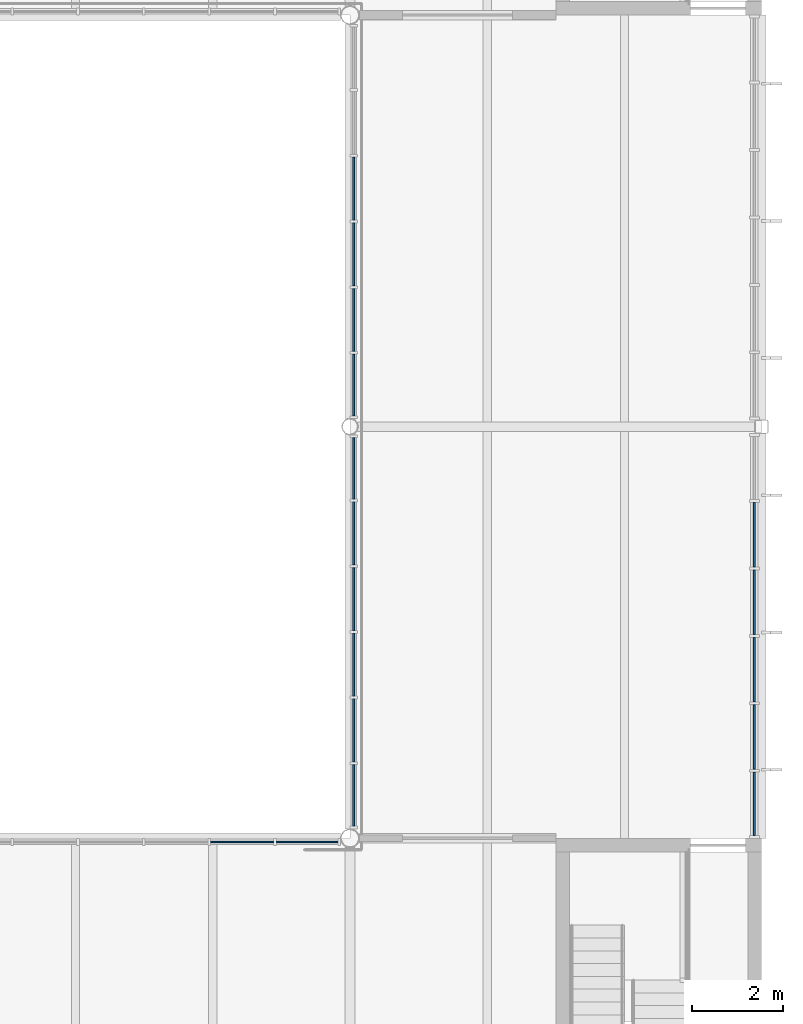
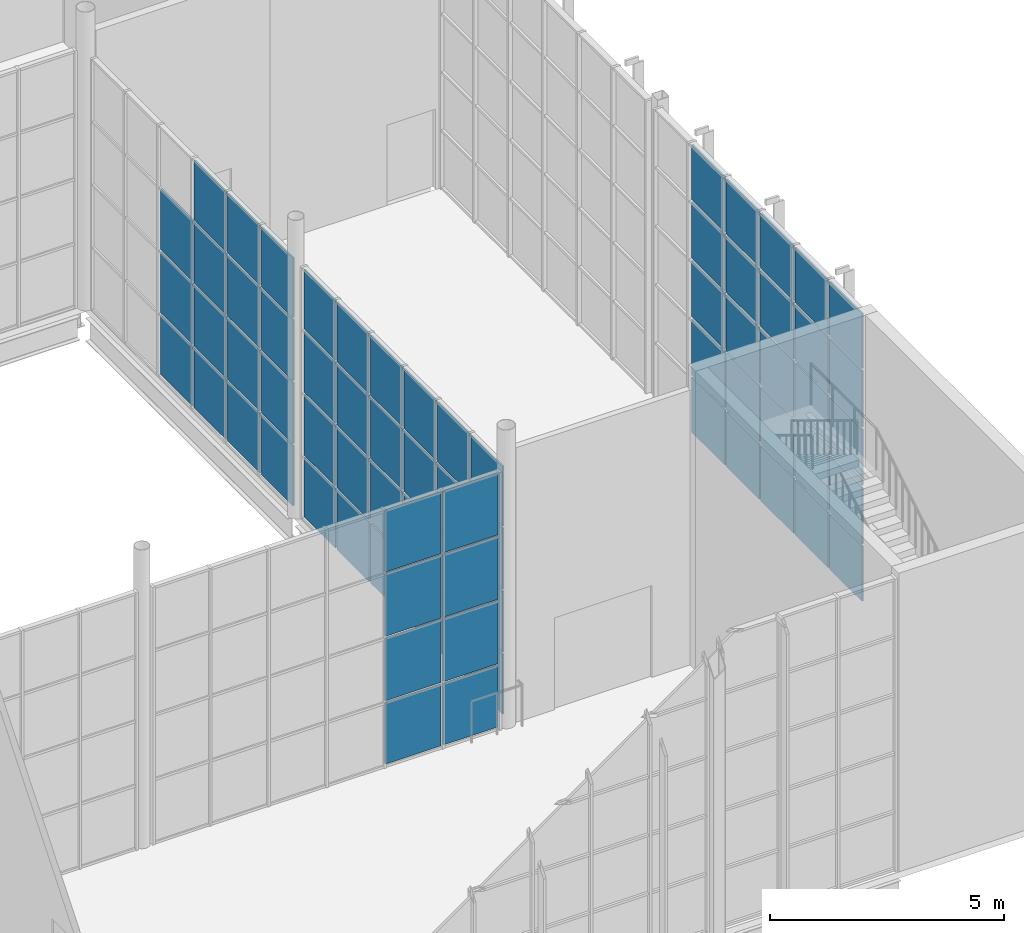
# One storey, part 72 of 90: 72 plates, 4 elements without a shape of their own.
"""IFC4 building model written with IfcOpenShell, lengths in metres."""

from ifc_helpers import new_model, si_unit, direction, frame, origin, origin_2d, place, context, subcontext, project, spatial, rectangle, extrude, material, layer, layer_set, type_object, element, aggregate, save


model = new_model("IFC4")

# Units and contexts
model_context = context("Model", 3, precision=1e-05, world=origin(), true_north=direction((0.0, 1.0)))
body_context = subcontext(model_context, "Body", "Model", "MODEL_VIEW")
ifc_project = project(units=[si_unit("LENGTHUNIT", "METRE"), si_unit("AREAUNIT", "SQUARE_METRE"), si_unit("VOLUMEUNIT", "CUBIC_METRE"), si_unit("PLANEANGLEUNIT", "RADIAN"), si_unit("MASSUNIT", "GRAM", prefix="KILO")], contexts=[model_context])

# Site, building, storey
site_placement = place(None, origin())
site = spatial("IfcSite", under=ifc_project, at=site_placement, CompositionType="ELEMENT")
building_placement = place(site_placement, origin())
building = spatial("IfcBuilding", under=site, at=building_placement, Name="Halyard Row Museum", CompositionType="ELEMENT")
storey_placement = place(building_placement, frame((0.0, 0.0, 13.39990234375)))
storey = spatial("IfcBuildingStorey", under=building, at=storey_placement, Name="L03", CompositionType="ELEMENT", Elevation=13.39990234375)

# Curtain wall, plates
ifc_material_1 = material(Name="Double glazed unit, low-emissivity", Category="glass")
ifc_layer_1 = layer(ifc_material_1, 0.219970703125)
ifc_layer_set_1 = layer_set([ifc_layer_1], Name="Double glazed unit, low-emissivity")
curtain_wall_type_1 = type_object("IfcCurtainWallType", Name="Curtain wall unitised 220 deep", PredefinedType="NOTDEFINED", material=ifc_layer_set_1)
curtain_wall_1_placement = place(storey_placement, origin())
curtain_wall_1 = element("IfcCurtainWall", 1, at=curtain_wall_1_placement, inside=storey, type_object=curtain_wall_type_1, Name="Curtain wall CW048", PredefinedType="NOTDEFINED")
ifc_material_2 = material(Name="Double glazed unit, low-emissivity", Category="glass")
ifc_layer_2 = layer(ifc_material_2, 0.035888671875)
ifc_layer_set_2 = layer_set([ifc_layer_2], Name="Double glazed unit, low-emissivity")
plate_type_1 = type_object("IfcPlateType", Name="Curtain wall glazed panel CP3 36", PredefinedType="CURTAIN_PANEL", material=ifc_layer_set_2)
plate_1_placement = place(storey_placement, frame((107.840087890625, 9.75244140625, 0.06005859375), z_axis=(0.0, 0.0, 1.0), x_axis=(0.0, 1.0, 0.0)))
plate_1 = element("IfcPlate", 2, at=plate_1_placement, type_object=plate_type_1, Name="CW048 panel 1.1", PredefinedType="CURTAIN_PANEL", context=body_context, shape_type="SweptSolid", body=[
    extrude(rectangle(XDim=1.385009765625, YDim=0.035888671875, at=origin_2d()), origin(), (0.0, 0.0, 1.0), 1.43701171875),
])
plate_2_placement = place(storey_placement, frame((107.840087890625, 9.75244140625, 1.55712890625), z_axis=(0.0, 0.0, 1.0), x_axis=(0.0, 1.0, 0.0)))
plate_2 = element("IfcPlate", 3, at=plate_2_placement, type_object=plate_type_1, Name="CW048 panel 1.2", PredefinedType="CURTAIN_PANEL", context=body_context, shape_type="SweptSolid", body=[
    extrude(rectangle(XDim=1.385009765625, YDim=0.035888671875, at=origin_2d()), origin(), (0.0, 0.0, 1.0), 1.467041015625),
])
plate_3_placement = place(storey_placement, frame((107.840087890625, 9.75244140625, 3.083984375), z_axis=(0.0, 0.0, 1.0), x_axis=(0.0, 1.0, 0.0)))
plate_3 = element("IfcPlate", 4, at=plate_3_placement, type_object=plate_type_1, Name="CW048 panel 1.3", PredefinedType="CURTAIN_PANEL", context=body_context, shape_type="SweptSolid", body=[
    extrude(rectangle(XDim=1.385009765625, YDim=0.035888671875, at=origin_2d()), origin(), (0.0, 0.0, 1.0), 1.467041015625),
])
plate_4_placement = place(storey_placement, frame((107.840087890625, 9.75244140625, 4.61083984375), z_axis=(0.0, 0.0, 1.0), x_axis=(0.0, 1.0, 0.0)))
plate_4 = element("IfcPlate", 5, at=plate_4_placement, type_object=plate_type_1, Name="CW048 panel 1.4", PredefinedType="CURTAIN_PANEL", context=body_context, shape_type="SweptSolid", body=[
    extrude(rectangle(XDim=1.385009765625, YDim=0.035888671875, at=origin_2d()), origin(), (0.0, 0.0, 1.0), 1.467041015625),
])
plate_5_placement = place(storey_placement, frame((107.840087890625, 9.75244140625, 6.13818359375), z_axis=(0.0, 0.0, 1.0), x_axis=(0.0, 1.0, 0.0)))
plate_5 = element("IfcPlate", 6, at=plate_5_placement, type_object=plate_type_1, Name="CW048 panel 1.5", PredefinedType="CURTAIN_PANEL", context=body_context, shape_type="SweptSolid", body=[
    extrude(rectangle(XDim=1.385009765625, YDim=0.035888671875, at=origin_2d()), origin(), (0.0, 0.0, 1.0), 1.43701171875),
])
plate_6_placement = place(storey_placement, frame((107.840087890625, 11.21240234375, 0.06005859375), z_axis=(0.0, 0.0, 1.0), x_axis=(0.0, 1.0, 0.0)))
plate_6 = element("IfcPlate", 7, at=plate_6_placement, type_object=plate_type_1, Name="CW048 panel 2.1", PredefinedType="CURTAIN_PANEL", context=body_context, shape_type="SweptSolid", body=[
    extrude(rectangle(XDim=1.4150390625, YDim=0.035888671875, at=origin_2d()), origin(), (0.0, 0.0, 1.0), 1.43701171875),
])
plate_7_placement = place(storey_placement, frame((107.840087890625, 11.21240234375, 1.55712890625), z_axis=(0.0, 0.0, 1.0), x_axis=(0.0, 1.0, 0.0)))
plate_7 = element("IfcPlate", 8, at=plate_7_placement, type_object=plate_type_1, Name="CW048 panel 2.2", PredefinedType="CURTAIN_PANEL", context=body_context, shape_type="SweptSolid", body=[
    extrude(rectangle(XDim=1.4150390625, YDim=0.035888671875, at=origin_2d()), origin(), (0.0, 0.0, 1.0), 1.467041015625),
])
plate_8_placement = place(storey_placement, frame((107.840087890625, 11.21240234375, 3.083984375), z_axis=(0.0, 0.0, 1.0), x_axis=(0.0, 1.0, 0.0)))
plate_8 = element("IfcPlate", 9, at=plate_8_placement, type_object=plate_type_1, Name="CW048 panel 2.3", PredefinedType="CURTAIN_PANEL", context=body_context, shape_type="SweptSolid", body=[
    extrude(rectangle(XDim=1.4150390625, YDim=0.035888671875, at=origin_2d()), origin(), (0.0, 0.0, 1.0), 1.467041015625),
])
plate_9_placement = place(storey_placement, frame((107.840087890625, 11.21240234375, 4.61083984375), z_axis=(0.0, 0.0, 1.0), x_axis=(0.0, 1.0, 0.0)))
plate_9 = element("IfcPlate", 10, at=plate_9_placement, type_object=plate_type_1, Name="CW048 panel 2.4", PredefinedType="CURTAIN_PANEL", context=body_context, shape_type="SweptSolid", body=[
    extrude(rectangle(XDim=1.4150390625, YDim=0.035888671875, at=origin_2d()), origin(), (0.0, 0.0, 1.0), 1.467041015625),
])
plate_10_placement = place(storey_placement, frame((107.840087890625, 11.21240234375, 6.13818359375), z_axis=(0.0, 0.0, 1.0), x_axis=(0.0, 1.0, 0.0)))
plate_10 = element("IfcPlate", 11, at=plate_10_placement, type_object=plate_type_1, Name="CW048 panel 2.5", PredefinedType="CURTAIN_PANEL", context=body_context, shape_type="SweptSolid", body=[
    extrude(rectangle(XDim=1.4150390625, YDim=0.035888671875, at=origin_2d()), origin(), (0.0, 0.0, 1.0), 1.43701171875),
])
plate_11_placement = place(storey_placement, frame((107.840087890625, 12.6875, 0.06005859375), z_axis=(0.0, 0.0, 1.0), x_axis=(0.0, 1.0, 0.0)))
plate_11 = element("IfcPlate", 12, at=plate_11_placement, type_object=plate_type_1, Name="CW048 panel 3.1", PredefinedType="CURTAIN_PANEL", context=body_context, shape_type="SweptSolid", body=[
    extrude(rectangle(XDim=1.4150390625, YDim=0.035888671875, at=origin_2d()), origin(), (0.0, 0.0, 1.0), 1.43701171875),
])
plate_12_placement = place(storey_placement, frame((107.840087890625, 12.6875, 1.55712890625), z_axis=(0.0, 0.0, 1.0), x_axis=(0.0, 1.0, 0.0)))
plate_12 = element("IfcPlate", 13, at=plate_12_placement, type_object=plate_type_1, Name="CW048 panel 3.2", PredefinedType="CURTAIN_PANEL", context=body_context, shape_type="SweptSolid", body=[
    extrude(rectangle(XDim=1.4150390625, YDim=0.035888671875, at=origin_2d()), origin(), (0.0, 0.0, 1.0), 1.467041015625),
])
plate_13_placement = place(storey_placement, frame((107.840087890625, 12.6875, 3.083984375), z_axis=(0.0, 0.0, 1.0), x_axis=(0.0, 1.0, 0.0)))
plate_13 = element("IfcPlate", 14, at=plate_13_placement, type_object=plate_type_1, Name="CW048 panel 3.3", PredefinedType="CURTAIN_PANEL", context=body_context, shape_type="SweptSolid", body=[
    extrude(rectangle(XDim=1.4150390625, YDim=0.035888671875, at=origin_2d()), origin(), (0.0, 0.0, 1.0), 1.467041015625),
])
plate_14_placement = place(storey_placement, frame((107.840087890625, 12.6875, 4.61083984375), z_axis=(0.0, 0.0, 1.0), x_axis=(0.0, 1.0, 0.0)))
plate_14 = element("IfcPlate", 15, at=plate_14_placement, type_object=plate_type_1, Name="CW048 panel 3.4", PredefinedType="CURTAIN_PANEL", context=body_context, shape_type="SweptSolid", body=[
    extrude(rectangle(XDim=1.4150390625, YDim=0.035888671875, at=origin_2d()), origin(), (0.0, 0.0, 1.0), 1.467041015625),
])
plate_15_placement = place(storey_placement, frame((107.840087890625, 12.6875, 6.13818359375), z_axis=(0.0, 0.0, 1.0), x_axis=(0.0, 1.0, 0.0)))
plate_15 = element("IfcPlate", 16, at=plate_15_placement, type_object=plate_type_1, Name="CW048 panel 3.5", PredefinedType="CURTAIN_PANEL", context=body_context, shape_type="SweptSolid", body=[
    extrude(rectangle(XDim=1.4150390625, YDim=0.035888671875, at=origin_2d()), origin(), (0.0, 0.0, 1.0), 1.43701171875),
])
plate_16_placement = place(storey_placement, frame((107.840087890625, 14.16259765625, 0.06005859375), z_axis=(0.0, 0.0, 1.0), x_axis=(0.0, 1.0, 0.0)))
plate_16 = element("IfcPlate", 17, at=plate_16_placement, type_object=plate_type_1, Name="CW048 panel 4.1", PredefinedType="CURTAIN_PANEL", context=body_context, shape_type="SweptSolid", body=[
    extrude(rectangle(XDim=1.4150390625, YDim=0.035888671875, at=origin_2d()), origin(), (0.0, 0.0, 1.0), 1.43701171875),
])
plate_17_placement = place(storey_placement, frame((107.840087890625, 14.16259765625, 1.55712890625), z_axis=(0.0, 0.0, 1.0), x_axis=(0.0, 1.0, 0.0)))
plate_17 = element("IfcPlate", 18, at=plate_17_placement, type_object=plate_type_1, Name="CW048 panel 4.2", PredefinedType="CURTAIN_PANEL", context=body_context, shape_type="SweptSolid", body=[
    extrude(rectangle(XDim=1.4150390625, YDim=0.035888671875, at=origin_2d()), origin(), (0.0, 0.0, 1.0), 1.467041015625),
])
plate_18_placement = place(storey_placement, frame((107.840087890625, 14.16259765625, 3.083984375), z_axis=(0.0, 0.0, 1.0), x_axis=(0.0, 1.0, 0.0)))
plate_18 = element("IfcPlate", 19, at=plate_18_placement, type_object=plate_type_1, Name="CW048 panel 4.3", PredefinedType="CURTAIN_PANEL", context=body_context, shape_type="SweptSolid", body=[
    extrude(rectangle(XDim=1.4150390625, YDim=0.035888671875, at=origin_2d()), origin(), (0.0, 0.0, 1.0), 1.467041015625),
])
plate_19_placement = place(storey_placement, frame((107.840087890625, 14.16259765625, 4.61083984375), z_axis=(0.0, 0.0, 1.0), x_axis=(0.0, 1.0, 0.0)))
plate_19 = element("IfcPlate", 20, at=plate_19_placement, type_object=plate_type_1, Name="CW048 panel 4.4", PredefinedType="CURTAIN_PANEL", context=body_context, shape_type="SweptSolid", body=[
    extrude(rectangle(XDim=1.4150390625, YDim=0.035888671875, at=origin_2d()), origin(), (0.0, 0.0, 1.0), 1.467041015625),
])
plate_20_placement = place(storey_placement, frame((107.840087890625, 14.16259765625, 6.13818359375), z_axis=(0.0, 0.0, 1.0), x_axis=(0.0, 1.0, 0.0)))
plate_20 = element("IfcPlate", 21, at=plate_20_placement, type_object=plate_type_1, Name="CW048 panel 4.5", PredefinedType="CURTAIN_PANEL", context=body_context, shape_type="SweptSolid", body=[
    extrude(rectangle(XDim=1.4150390625, YDim=0.035888671875, at=origin_2d()), origin(), (0.0, 0.0, 1.0), 1.43701171875),
])
plate_21_placement = place(storey_placement, frame((107.840087890625, 15.637451171875, 0.06005859375), z_axis=(0.0, 0.0, 1.0), x_axis=(0.0, 1.0, 0.0)))
plate_21 = element("IfcPlate", 22, at=plate_21_placement, type_object=plate_type_1, Name="CW048 panel 5.1", PredefinedType="CURTAIN_PANEL", context=body_context, shape_type="SweptSolid", body=[
    extrude(rectangle(XDim=1.4150390625, YDim=0.035888671875, at=origin_2d()), origin(), (0.0, 0.0, 1.0), 1.43701171875),
])
plate_22_placement = place(storey_placement, frame((107.840087890625, 15.637451171875, 1.55712890625), z_axis=(0.0, 0.0, 1.0), x_axis=(0.0, 1.0, 0.0)))
plate_22 = element("IfcPlate", 23, at=plate_22_placement, type_object=plate_type_1, Name="CW048 panel 5.2", PredefinedType="CURTAIN_PANEL", context=body_context, shape_type="SweptSolid", body=[
    extrude(rectangle(XDim=1.4150390625, YDim=0.035888671875, at=origin_2d()), origin(), (0.0, 0.0, 1.0), 1.467041015625),
])
plate_23_placement = place(storey_placement, frame((107.840087890625, 15.637451171875, 3.083984375), z_axis=(0.0, 0.0, 1.0), x_axis=(0.0, 1.0, 0.0)))
plate_23 = element("IfcPlate", 24, at=plate_23_placement, type_object=plate_type_1, Name="CW048 panel 5.3", PredefinedType="CURTAIN_PANEL", context=body_context, shape_type="SweptSolid", body=[
    extrude(rectangle(XDim=1.4150390625, YDim=0.035888671875, at=origin_2d()), origin(), (0.0, 0.0, 1.0), 1.467041015625),
])
plate_24_placement = place(storey_placement, frame((107.840087890625, 15.637451171875, 4.61083984375), z_axis=(0.0, 0.0, 1.0), x_axis=(0.0, 1.0, 0.0)))
plate_24 = element("IfcPlate", 25, at=plate_24_placement, type_object=plate_type_1, Name="CW048 panel 5.4", PredefinedType="CURTAIN_PANEL", context=body_context, shape_type="SweptSolid", body=[
    extrude(rectangle(XDim=1.4150390625, YDim=0.035888671875, at=origin_2d()), origin(), (0.0, 0.0, 1.0), 1.467041015625),
])
plate_25_placement = place(storey_placement, frame((107.840087890625, 15.637451171875, 6.13818359375), z_axis=(0.0, 0.0, 1.0), x_axis=(0.0, 1.0, 0.0)))
plate_25 = element("IfcPlate", 26, at=plate_25_placement, type_object=plate_type_1, Name="CW048 panel 5.5", PredefinedType="CURTAIN_PANEL", context=body_context, shape_type="SweptSolid", body=[
    extrude(rectangle(XDim=1.4150390625, YDim=0.035888671875, at=origin_2d()), origin(), (0.0, 0.0, 1.0), 1.43701171875),
])
aggregate(curtain_wall_1, [plate_1, plate_2, plate_3, plate_4, plate_5, plate_6, plate_7, plate_8, plate_9, plate_10, plate_11, plate_12, plate_13, plate_14, plate_15, plate_16, plate_17, plate_18, plate_19, plate_20, plate_21, plate_22, plate_23, plate_24, plate_25])

ifc_material_3 = material(Name="Fire-resisting laminated glazing", Category="glass")
ifc_layer_3 = layer(ifc_material_3, 0.159912109375)
ifc_layer_set_3 = layer_set([ifc_layer_3], Name="Fire-resisting laminated glazing")
curtain_wall_type_2 = type_object("IfcCurtainWallType", Name="Curtain wall atrium screen 160 deep", PredefinedType="NOTDEFINED", material=ifc_layer_set_3)
curtain_wall_2_placement = place(storey_placement, origin())
curtain_wall_2 = element("IfcCurtainWall", 27, at=curtain_wall_2_placement, inside=storey, type_object=curtain_wall_type_2, Name="Curtain wall CW095", PredefinedType="NOTDEFINED")
ifc_material_4 = material(Name="Fire-resisting laminated glazing", Category="glass")
ifc_layer_4 = layer(ifc_material_4, 0.0400390625)
ifc_layer_set_4 = layer_set([ifc_layer_4], Name="Fire-resisting laminated glazing")
plate_type_2 = type_object("IfcPlateType", Name="Curtain wall glazed panel CP5 40", PredefinedType="CURTAIN_PANEL", material=ifc_layer_set_4)
plate_26_placement = place(storey_placement, frame((96.64208984375, 8.919921875, 0.06005859375), z_axis=(0.0, 0.0, 1.0), x_axis=(1.0, 0.0, 0.0)))
plate_26 = element("IfcPlate", 28, at=plate_26_placement, type_object=plate_type_2, Name="CW095 panel 5.1", PredefinedType="CURTAIN_PANEL", context=body_context, shape_type="SweptSolid", body=[
    extrude(rectangle(XDim=1.37646484375, YDim=0.0400390625, at=origin_2d()), origin(), (0.0, 0.0, 1.0), 1.593017578125),
])
plate_27_placement = place(storey_placement, frame((96.64208984375, 8.919921875, 1.713134765625), z_axis=(0.0, 0.0, 1.0), x_axis=(1.0, 0.0, 0.0)))
plate_27 = element("IfcPlate", 29, at=plate_27_placement, type_object=plate_type_2, Name="CW095 panel 5.2", PredefinedType="CURTAIN_PANEL", context=body_context, shape_type="SweptSolid", body=[
    extrude(rectangle(XDim=1.37646484375, YDim=0.0400390625, at=origin_2d()), origin(), (0.0, 0.0, 1.0), 1.623046875),
])
plate_28_placement = place(storey_placement, frame((96.64208984375, 8.919921875, 3.39599609375), z_axis=(0.0, 0.0, 1.0), x_axis=(1.0, 0.0, 0.0)))
plate_28 = element("IfcPlate", 30, at=plate_28_placement, type_object=plate_type_2, Name="CW095 panel 5.3", PredefinedType="CURTAIN_PANEL", context=body_context, shape_type="SweptSolid", body=[
    extrude(rectangle(XDim=1.37646484375, YDim=0.0400390625, at=origin_2d()), origin(), (0.0, 0.0, 1.0), 1.623046875),
])
plate_29_placement = place(storey_placement, frame((96.64208984375, 8.919921875, 5.0791015625), z_axis=(0.0, 0.0, 1.0), x_axis=(1.0, 0.0, 0.0)))
plate_29 = element("IfcPlate", 31, at=plate_29_placement, type_object=plate_type_2, Name="CW095 panel 5.4", PredefinedType="CURTAIN_PANEL", context=body_context, shape_type="SweptSolid", body=[
    extrude(rectangle(XDim=1.37646484375, YDim=0.0400390625, at=origin_2d()), origin(), (0.0, 0.0, 1.0), 1.593017578125),
])
plate_30_placement = place(storey_placement, frame((98.0634765625, 8.919921875, 0.06005859375), z_axis=(0.0, 0.0, 1.0), x_axis=(1.0, 0.0, 0.0)))
plate_30 = element("IfcPlate", 32, at=plate_30_placement, type_object=plate_type_2, Name="CW095 panel 6.1", PredefinedType="CURTAIN_PANEL", context=body_context, shape_type="SweptSolid", body=[
    extrude(rectangle(XDim=1.346435546875, YDim=0.0400390625, at=origin_2d()), origin(), (0.0, 0.0, 1.0), 1.593017578125),
])
plate_31_placement = place(storey_placement, frame((98.0634765625, 8.919921875, 1.713134765625), z_axis=(0.0, 0.0, 1.0), x_axis=(1.0, 0.0, 0.0)))
plate_31 = element("IfcPlate", 33, at=plate_31_placement, type_object=plate_type_2, Name="CW095 panel 6.2", PredefinedType="CURTAIN_PANEL", context=body_context, shape_type="SweptSolid", body=[
    extrude(rectangle(XDim=1.346435546875, YDim=0.0400390625, at=origin_2d()), origin(), (0.0, 0.0, 1.0), 1.623046875),
])
plate_32_placement = place(storey_placement, frame((98.0634765625, 8.919921875, 3.39599609375), z_axis=(0.0, 0.0, 1.0), x_axis=(1.0, 0.0, 0.0)))
plate_32 = element("IfcPlate", 34, at=plate_32_placement, type_object=plate_type_2, Name="CW095 panel 6.3", PredefinedType="CURTAIN_PANEL", context=body_context, shape_type="SweptSolid", body=[
    extrude(rectangle(XDim=1.346435546875, YDim=0.0400390625, at=origin_2d()), origin(), (0.0, 0.0, 1.0), 1.623046875),
])
plate_33_placement = place(storey_placement, frame((98.0634765625, 8.919921875, 5.0791015625), z_axis=(0.0, 0.0, 1.0), x_axis=(1.0, 0.0, 0.0)))
plate_33 = element("IfcPlate", 35, at=plate_33_placement, type_object=plate_type_2, Name="CW095 panel 6.4", PredefinedType="CURTAIN_PANEL", context=body_context, shape_type="SweptSolid", body=[
    extrude(rectangle(XDim=1.346435546875, YDim=0.0400390625, at=origin_2d()), origin(), (0.0, 0.0, 1.0), 1.593017578125),
])
aggregate(curtain_wall_2, [plate_26, plate_27, plate_28, plate_29, plate_30, plate_31, plate_32, plate_33])

curtain_wall_3_placement = place(storey_placement, origin())
curtain_wall_3 = element("IfcCurtainWall", 36, at=curtain_wall_3_placement, inside=storey, type_object=curtain_wall_type_2, Name="Curtain wall CW096", PredefinedType="NOTDEFINED")
plate_34_placement = place(storey_placement, frame((99.080078125, 9.9365234375, 0.06005859375), z_axis=(0.0, 0.0, 1.0), x_axis=(0.0, 1.0, 0.0)))
plate_34 = element("IfcPlate", 37, at=plate_34_placement, type_object=plate_type_2, Name="CW096 panel 1.1", PredefinedType="CURTAIN_PANEL", context=body_context, shape_type="SweptSolid", body=[
    extrude(rectangle(XDim=1.346435546875, YDim=0.0400390625, at=origin_2d()), origin(), (0.0, 0.0, 1.0), 1.55615234375),
])
plate_35_placement = place(storey_placement, frame((99.080078125, 9.9365234375, 1.67626953125), z_axis=(0.0, 0.0, 1.0), x_axis=(0.0, 1.0, 0.0)))
plate_35 = element("IfcPlate", 38, at=plate_35_placement, type_object=plate_type_2, Name="CW096 panel 1.2", PredefinedType="CURTAIN_PANEL", context=body_context, shape_type="SweptSolid", body=[
    extrude(rectangle(XDim=1.346435546875, YDim=0.0400390625, at=origin_2d()), origin(), (0.0, 0.0, 1.0), 1.586181640625),
])
plate_36_placement = place(storey_placement, frame((99.080078125, 9.9365234375, 3.32275390625), z_axis=(0.0, 0.0, 1.0), x_axis=(0.0, 1.0, 0.0)))
plate_36 = element("IfcPlate", 39, at=plate_36_placement, type_object=plate_type_2, Name="CW096 panel 1.3", PredefinedType="CURTAIN_PANEL", context=body_context, shape_type="SweptSolid", body=[
    extrude(rectangle(XDim=1.346435546875, YDim=0.0400390625, at=origin_2d()), origin(), (0.0, 0.0, 1.0), 1.586181640625),
])
plate_37_placement = place(storey_placement, frame((99.080078125, 9.9365234375, 4.968994140625), z_axis=(0.0, 0.0, 1.0), x_axis=(0.0, 1.0, 0.0)))
plate_37 = element("IfcPlate", 40, at=plate_37_placement, type_object=plate_type_2, Name="CW096 panel 1.4", PredefinedType="CURTAIN_PANEL", context=body_context, shape_type="SweptSolid", body=[
    extrude(rectangle(XDim=1.346435546875, YDim=0.0400390625, at=origin_2d()), origin(), (0.0, 0.0, 1.0), 1.55615234375),
])
plate_38_placement = place(storey_placement, frame((99.080078125, 11.35791015625, 0.06005859375), z_axis=(0.0, 0.0, 1.0), x_axis=(0.0, 1.0, 0.0)))
plate_38 = element("IfcPlate", 41, at=plate_38_placement, type_object=plate_type_2, Name="CW096 panel 2.1", PredefinedType="CURTAIN_PANEL", context=body_context, shape_type="SweptSolid", body=[
    extrude(rectangle(XDim=1.37646484375, YDim=0.0400390625, at=origin_2d()), origin(), (0.0, 0.0, 1.0), 1.55615234375),
])
plate_39_placement = place(storey_placement, frame((99.080078125, 11.35791015625, 1.67626953125), z_axis=(0.0, 0.0, 1.0), x_axis=(0.0, 1.0, 0.0)))
plate_39 = element("IfcPlate", 42, at=plate_39_placement, type_object=plate_type_2, Name="CW096 panel 2.2", PredefinedType="CURTAIN_PANEL", context=body_context, shape_type="SweptSolid", body=[
    extrude(rectangle(XDim=1.37646484375, YDim=0.0400390625, at=origin_2d()), origin(), (0.0, 0.0, 1.0), 1.586181640625),
])
plate_40_placement = place(storey_placement, frame((99.080078125, 11.35791015625, 3.32275390625), z_axis=(0.0, 0.0, 1.0), x_axis=(0.0, 1.0, 0.0)))
plate_40 = element("IfcPlate", 43, at=plate_40_placement, type_object=plate_type_2, Name="CW096 panel 2.3", PredefinedType="CURTAIN_PANEL", context=body_context, shape_type="SweptSolid", body=[
    extrude(rectangle(XDim=1.37646484375, YDim=0.0400390625, at=origin_2d()), origin(), (0.0, 0.0, 1.0), 1.586181640625),
])
plate_41_placement = place(storey_placement, frame((99.080078125, 11.35791015625, 4.968994140625), z_axis=(0.0, 0.0, 1.0), x_axis=(0.0, 1.0, 0.0)))
plate_41 = element("IfcPlate", 44, at=plate_41_placement, type_object=plate_type_2, Name="CW096 panel 2.4", PredefinedType="CURTAIN_PANEL", context=body_context, shape_type="SweptSolid", body=[
    extrude(rectangle(XDim=1.37646484375, YDim=0.0400390625, at=origin_2d()), origin(), (0.0, 0.0, 1.0), 1.55615234375),
])
plate_42_placement = place(storey_placement, frame((99.080078125, 12.79443359375, 0.06005859375), z_axis=(0.0, 0.0, 1.0), x_axis=(0.0, 1.0, 0.0)))
plate_42 = element("IfcPlate", 45, at=plate_42_placement, type_object=plate_type_2, Name="CW096 panel 3.1", PredefinedType="CURTAIN_PANEL", context=body_context, shape_type="SweptSolid", body=[
    extrude(rectangle(XDim=1.37646484375, YDim=0.0400390625, at=origin_2d()), origin(), (0.0, 0.0, 1.0), 1.55615234375),
])
plate_43_placement = place(storey_placement, frame((99.080078125, 12.79443359375, 1.67626953125), z_axis=(0.0, 0.0, 1.0), x_axis=(0.0, 1.0, 0.0)))
plate_43 = element("IfcPlate", 46, at=plate_43_placement, type_object=plate_type_2, Name="CW096 panel 3.2", PredefinedType="CURTAIN_PANEL", context=body_context, shape_type="SweptSolid", body=[
    extrude(rectangle(XDim=1.37646484375, YDim=0.0400390625, at=origin_2d()), origin(), (0.0, 0.0, 1.0), 1.586181640625),
])
plate_44_placement = place(storey_placement, frame((99.080078125, 12.79443359375, 3.32275390625), z_axis=(0.0, 0.0, 1.0), x_axis=(0.0, 1.0, 0.0)))
plate_44 = element("IfcPlate", 47, at=plate_44_placement, type_object=plate_type_2, Name="CW096 panel 3.3", PredefinedType="CURTAIN_PANEL", context=body_context, shape_type="SweptSolid", body=[
    extrude(rectangle(XDim=1.37646484375, YDim=0.0400390625, at=origin_2d()), origin(), (0.0, 0.0, 1.0), 1.586181640625),
])
plate_45_placement = place(storey_placement, frame((99.080078125, 12.79443359375, 4.968994140625), z_axis=(0.0, 0.0, 1.0), x_axis=(0.0, 1.0, 0.0)))
plate_45 = element("IfcPlate", 48, at=plate_45_placement, type_object=plate_type_2, Name="CW096 panel 3.4", PredefinedType="CURTAIN_PANEL", context=body_context, shape_type="SweptSolid", body=[
    extrude(rectangle(XDim=1.37646484375, YDim=0.0400390625, at=origin_2d()), origin(), (0.0, 0.0, 1.0), 1.55615234375),
])
plate_46_placement = place(storey_placement, frame((99.080078125, 14.23095703125, 0.06005859375), z_axis=(0.0, 0.0, 1.0), x_axis=(0.0, 1.0, 0.0)))
plate_46 = element("IfcPlate", 49, at=plate_46_placement, type_object=plate_type_2, Name="CW096 panel 4.1", PredefinedType="CURTAIN_PANEL", context=body_context, shape_type="SweptSolid", body=[
    extrude(rectangle(XDim=1.37646484375, YDim=0.0400390625, at=origin_2d()), origin(), (0.0, 0.0, 1.0), 1.55615234375),
])
plate_47_placement = place(storey_placement, frame((99.080078125, 14.23095703125, 1.67626953125), z_axis=(0.0, 0.0, 1.0), x_axis=(0.0, 1.0, 0.0)))
plate_47 = element("IfcPlate", 50, at=plate_47_placement, type_object=plate_type_2, Name="CW096 panel 4.2", PredefinedType="CURTAIN_PANEL", context=body_context, shape_type="SweptSolid", body=[
    extrude(rectangle(XDim=1.37646484375, YDim=0.0400390625, at=origin_2d()), origin(), (0.0, 0.0, 1.0), 1.586181640625),
])
plate_48_placement = place(storey_placement, frame((99.080078125, 14.23095703125, 3.32275390625), z_axis=(0.0, 0.0, 1.0), x_axis=(0.0, 1.0, 0.0)))
plate_48 = element("IfcPlate", 51, at=plate_48_placement, type_object=plate_type_2, Name="CW096 panel 4.3", PredefinedType="CURTAIN_PANEL", context=body_context, shape_type="SweptSolid", body=[
    extrude(rectangle(XDim=1.37646484375, YDim=0.0400390625, at=origin_2d()), origin(), (0.0, 0.0, 1.0), 1.586181640625),
])
plate_49_placement = place(storey_placement, frame((99.080078125, 14.23095703125, 4.968994140625), z_axis=(0.0, 0.0, 1.0), x_axis=(0.0, 1.0, 0.0)))
plate_49 = element("IfcPlate", 52, at=plate_49_placement, type_object=plate_type_2, Name="CW096 panel 4.4", PredefinedType="CURTAIN_PANEL", context=body_context, shape_type="SweptSolid", body=[
    extrude(rectangle(XDim=1.37646484375, YDim=0.0400390625, at=origin_2d()), origin(), (0.0, 0.0, 1.0), 1.55615234375),
])
plate_50_placement = place(storey_placement, frame((99.080078125, 15.66748046875, 0.06005859375), z_axis=(0.0, 0.0, 1.0), x_axis=(0.0, 1.0, 0.0)))
plate_50 = element("IfcPlate", 53, at=plate_50_placement, type_object=plate_type_2, Name="CW096 panel 5.1", PredefinedType="CURTAIN_PANEL", context=body_context, shape_type="SweptSolid", body=[
    extrude(rectangle(XDim=1.37646484375, YDim=0.0400390625, at=origin_2d()), origin(), (0.0, 0.0, 1.0), 1.55615234375),
])
plate_51_placement = place(storey_placement, frame((99.080078125, 15.66748046875, 1.67626953125), z_axis=(0.0, 0.0, 1.0), x_axis=(0.0, 1.0, 0.0)))
plate_51 = element("IfcPlate", 54, at=plate_51_placement, type_object=plate_type_2, Name="CW096 panel 5.2", PredefinedType="CURTAIN_PANEL", context=body_context, shape_type="SweptSolid", body=[
    extrude(rectangle(XDim=1.37646484375, YDim=0.0400390625, at=origin_2d()), origin(), (0.0, 0.0, 1.0), 1.586181640625),
])
plate_52_placement = place(storey_placement, frame((99.080078125, 15.66748046875, 3.32275390625), z_axis=(0.0, 0.0, 1.0), x_axis=(0.0, 1.0, 0.0)))
plate_52 = element("IfcPlate", 55, at=plate_52_placement, type_object=plate_type_2, Name="CW096 panel 5.3", PredefinedType="CURTAIN_PANEL", context=body_context, shape_type="SweptSolid", body=[
    extrude(rectangle(XDim=1.37646484375, YDim=0.0400390625, at=origin_2d()), origin(), (0.0, 0.0, 1.0), 1.586181640625),
])
plate_53_placement = place(storey_placement, frame((99.080078125, 15.66748046875, 4.968994140625), z_axis=(0.0, 0.0, 1.0), x_axis=(0.0, 1.0, 0.0)))
plate_53 = element("IfcPlate", 56, at=plate_53_placement, type_object=plate_type_2, Name="CW096 panel 5.4", PredefinedType="CURTAIN_PANEL", context=body_context, shape_type="SweptSolid", body=[
    extrude(rectangle(XDim=1.37646484375, YDim=0.0400390625, at=origin_2d()), origin(), (0.0, 0.0, 1.0), 1.55615234375),
])
plate_54_placement = place(storey_placement, frame((99.080078125, 17.0888671875, 0.06005859375), z_axis=(0.0, 0.0, 1.0), x_axis=(0.0, 1.0, 0.0)))
plate_54 = element("IfcPlate", 57, at=plate_54_placement, type_object=plate_type_2, Name="CW096 panel 6.1", PredefinedType="CURTAIN_PANEL", context=body_context, shape_type="SweptSolid", body=[
    extrude(rectangle(XDim=1.346435546875, YDim=0.0400390625, at=origin_2d()), origin(), (0.0, 0.0, 1.0), 1.55615234375),
])
plate_55_placement = place(storey_placement, frame((99.080078125, 17.0888671875, 1.67626953125), z_axis=(0.0, 0.0, 1.0), x_axis=(0.0, 1.0, 0.0)))
plate_55 = element("IfcPlate", 58, at=plate_55_placement, type_object=plate_type_2, Name="CW096 panel 6.2", PredefinedType="CURTAIN_PANEL", context=body_context, shape_type="SweptSolid", body=[
    extrude(rectangle(XDim=1.346435546875, YDim=0.0400390625, at=origin_2d()), origin(), (0.0, 0.0, 1.0), 1.586181640625),
])
plate_56_placement = place(storey_placement, frame((99.080078125, 17.0888671875, 3.32275390625), z_axis=(0.0, 0.0, 1.0), x_axis=(0.0, 1.0, 0.0)))
plate_56 = element("IfcPlate", 59, at=plate_56_placement, type_object=plate_type_2, Name="CW096 panel 6.3", PredefinedType="CURTAIN_PANEL", context=body_context, shape_type="SweptSolid", body=[
    extrude(rectangle(XDim=1.346435546875, YDim=0.0400390625, at=origin_2d()), origin(), (0.0, 0.0, 1.0), 1.586181640625),
])
plate_57_placement = place(storey_placement, frame((99.080078125, 17.0888671875, 4.968994140625), z_axis=(0.0, 0.0, 1.0), x_axis=(0.0, 1.0, 0.0)))
plate_57 = element("IfcPlate", 60, at=plate_57_placement, type_object=plate_type_2, Name="CW096 panel 6.4", PredefinedType="CURTAIN_PANEL", context=body_context, shape_type="SweptSolid", body=[
    extrude(rectangle(XDim=1.346435546875, YDim=0.0400390625, at=origin_2d()), origin(), (0.0, 0.0, 1.0), 1.55615234375),
])
aggregate(curtain_wall_3, [plate_34, plate_35, plate_36, plate_37, plate_38, plate_39, plate_40, plate_41, plate_42, plate_43, plate_44, plate_45, plate_46, plate_47, plate_48, plate_49, plate_50, plate_51, plate_52, plate_53, plate_54, plate_55, plate_56, plate_57])

curtain_wall_4_placement = place(storey_placement, origin())
curtain_wall_4 = element("IfcCurtainWall", 61, at=curtain_wall_4_placement, inside=storey, type_object=curtain_wall_type_2, Name="Curtain wall CW097", PredefinedType="NOTDEFINED")
plate_58_placement = place(storey_placement, frame((99.080078125, 18.9111328125, 0.06005859375), z_axis=(0.0, 0.0, 1.0), x_axis=(0.0, 1.0, 0.0)))
plate_58 = element("IfcPlate", 62, at=plate_58_placement, type_object=plate_type_2, Name="CW097 panel 1.1", PredefinedType="CURTAIN_PANEL", context=body_context, shape_type="SweptSolid", body=[
    extrude(rectangle(XDim=1.346435546875, YDim=0.0400390625, at=origin_2d()), origin(), (0.0, 0.0, 1.0), 1.55615234375),
])
plate_59_placement = place(storey_placement, frame((99.080078125, 18.9111328125, 1.67626953125), z_axis=(0.0, 0.0, 1.0), x_axis=(0.0, 1.0, 0.0)))
plate_59 = element("IfcPlate", 63, at=plate_59_placement, type_object=plate_type_2, Name="CW097 panel 1.2", PredefinedType="CURTAIN_PANEL", context=body_context, shape_type="SweptSolid", body=[
    extrude(rectangle(XDim=1.346435546875, YDim=0.0400390625, at=origin_2d()), origin(), (0.0, 0.0, 1.0), 1.586181640625),
])
plate_60_placement = place(storey_placement, frame((99.080078125, 18.9111328125, 3.32275390625), z_axis=(0.0, 0.0, 1.0), x_axis=(0.0, 1.0, 0.0)))
plate_60 = element("IfcPlate", 64, at=plate_60_placement, type_object=plate_type_2, Name="CW097 panel 1.3", PredefinedType="CURTAIN_PANEL", context=body_context, shape_type="SweptSolid", body=[
    extrude(rectangle(XDim=1.346435546875, YDim=0.0400390625, at=origin_2d()), origin(), (0.0, 0.0, 1.0), 1.586181640625),
])
plate_61_placement = place(storey_placement, frame((99.080078125, 18.9111328125, 4.968994140625), z_axis=(0.0, 0.0, 1.0), x_axis=(0.0, 1.0, 0.0)))
plate_61 = element("IfcPlate", 65, at=plate_61_placement, type_object=plate_type_2, Name="CW097 panel 1.4", PredefinedType="CURTAIN_PANEL", context=body_context, shape_type="SweptSolid", body=[
    extrude(rectangle(XDim=1.346435546875, YDim=0.0400390625, at=origin_2d()), origin(), (0.0, 0.0, 1.0), 1.55615234375),
])
plate_62_placement = place(storey_placement, frame((99.080078125, 20.33251953125, 0.06005859375), z_axis=(0.0, 0.0, 1.0), x_axis=(0.0, 1.0, 0.0)))
plate_62 = element("IfcPlate", 66, at=plate_62_placement, type_object=plate_type_2, Name="CW097 panel 2.1", PredefinedType="CURTAIN_PANEL", context=body_context, shape_type="SweptSolid", body=[
    extrude(rectangle(XDim=1.37646484375, YDim=0.0400390625, at=origin_2d()), origin(), (0.0, 0.0, 1.0), 1.55615234375),
])
plate_63_placement = place(storey_placement, frame((99.080078125, 20.33251953125, 1.67626953125), z_axis=(0.0, 0.0, 1.0), x_axis=(0.0, 1.0, 0.0)))
plate_63 = element("IfcPlate", 67, at=plate_63_placement, type_object=plate_type_2, Name="CW097 panel 2.2", PredefinedType="CURTAIN_PANEL", context=body_context, shape_type="SweptSolid", body=[
    extrude(rectangle(XDim=1.37646484375, YDim=0.0400390625, at=origin_2d()), origin(), (0.0, 0.0, 1.0), 1.586181640625),
])
plate_64_placement = place(storey_placement, frame((99.080078125, 20.33251953125, 3.32275390625), z_axis=(0.0, 0.0, 1.0), x_axis=(0.0, 1.0, 0.0)))
plate_64 = element("IfcPlate", 68, at=plate_64_placement, type_object=plate_type_2, Name="CW097 panel 2.3", PredefinedType="CURTAIN_PANEL", context=body_context, shape_type="SweptSolid", body=[
    extrude(rectangle(XDim=1.37646484375, YDim=0.0400390625, at=origin_2d()), origin(), (0.0, 0.0, 1.0), 1.586181640625),
])
plate_65_placement = place(storey_placement, frame((99.080078125, 20.33251953125, 4.968994140625), z_axis=(0.0, 0.0, 1.0), x_axis=(0.0, 1.0, 0.0)))
plate_65 = element("IfcPlate", 69, at=plate_65_placement, type_object=plate_type_2, Name="CW097 panel 2.4", PredefinedType="CURTAIN_PANEL", context=body_context, shape_type="SweptSolid", body=[
    extrude(rectangle(XDim=1.37646484375, YDim=0.0400390625, at=origin_2d()), origin(), (0.0, 0.0, 1.0), 1.55615234375),
])
plate_66_placement = place(storey_placement, frame((99.080078125, 21.76904296875, 0.06005859375), z_axis=(0.0, 0.0, 1.0), x_axis=(0.0, 1.0, 0.0)))
plate_66 = element("IfcPlate", 70, at=plate_66_placement, type_object=plate_type_2, Name="CW097 panel 3.1", PredefinedType="CURTAIN_PANEL", context=body_context, shape_type="SweptSolid", body=[
    extrude(rectangle(XDim=1.37646484375, YDim=0.0400390625, at=origin_2d()), origin(), (0.0, 0.0, 1.0), 1.55615234375),
])
plate_67_placement = place(storey_placement, frame((99.080078125, 21.76904296875, 1.67626953125), z_axis=(0.0, 0.0, 1.0), x_axis=(0.0, 1.0, 0.0)))
plate_67 = element("IfcPlate", 71, at=plate_67_placement, type_object=plate_type_2, Name="CW097 panel 3.2", PredefinedType="CURTAIN_PANEL", context=body_context, shape_type="SweptSolid", body=[
    extrude(rectangle(XDim=1.37646484375, YDim=0.0400390625, at=origin_2d()), origin(), (0.0, 0.0, 1.0), 1.586181640625),
])
plate_68_placement = place(storey_placement, frame((99.080078125, 21.76904296875, 3.32275390625), z_axis=(0.0, 0.0, 1.0), x_axis=(0.0, 1.0, 0.0)))
plate_68 = element("IfcPlate", 72, at=plate_68_placement, type_object=plate_type_2, Name="CW097 panel 3.3", PredefinedType="CURTAIN_PANEL", context=body_context, shape_type="SweptSolid", body=[
    extrude(rectangle(XDim=1.37646484375, YDim=0.0400390625, at=origin_2d()), origin(), (0.0, 0.0, 1.0), 1.586181640625),
])
plate_69_placement = place(storey_placement, frame((99.080078125, 21.76904296875, 4.968994140625), z_axis=(0.0, 0.0, 1.0), x_axis=(0.0, 1.0, 0.0)))
plate_69 = element("IfcPlate", 73, at=plate_69_placement, type_object=plate_type_2, Name="CW097 panel 3.4", PredefinedType="CURTAIN_PANEL", context=body_context, shape_type="SweptSolid", body=[
    extrude(rectangle(XDim=1.37646484375, YDim=0.0400390625, at=origin_2d()), origin(), (0.0, 0.0, 1.0), 1.55615234375),
])
plate_70_placement = place(storey_placement, frame((99.080078125, 23.20556640625, 0.06005859375), z_axis=(0.0, 0.0, 1.0), x_axis=(0.0, 1.0, 0.0)))
plate_70 = element("IfcPlate", 74, at=plate_70_placement, type_object=plate_type_2, Name="CW097 panel 4.1", PredefinedType="CURTAIN_PANEL", context=body_context, shape_type="SweptSolid", body=[
    extrude(rectangle(XDim=1.37646484375, YDim=0.0400390625, at=origin_2d()), origin(), (0.0, 0.0, 1.0), 1.55615234375),
])
plate_71_placement = place(storey_placement, frame((99.080078125, 23.20556640625, 1.67626953125), z_axis=(0.0, 0.0, 1.0), x_axis=(0.0, 1.0, 0.0)))
plate_71 = element("IfcPlate", 75, at=plate_71_placement, type_object=plate_type_2, Name="CW097 panel 4.2", PredefinedType="CURTAIN_PANEL", context=body_context, shape_type="SweptSolid", body=[
    extrude(rectangle(XDim=1.37646484375, YDim=0.0400390625, at=origin_2d()), origin(), (0.0, 0.0, 1.0), 1.586181640625),
])
plate_72_placement = place(storey_placement, frame((99.080078125, 23.20556640625, 3.32275390625), z_axis=(0.0, 0.0, 1.0), x_axis=(0.0, 1.0, 0.0)))
plate_72 = element("IfcPlate", 76, at=plate_72_placement, type_object=plate_type_2, Name="CW097 panel 4.3", PredefinedType="CURTAIN_PANEL", context=body_context, shape_type="SweptSolid", body=[
    extrude(rectangle(XDim=1.37646484375, YDim=0.0400390625, at=origin_2d()), origin(), (0.0, 0.0, 1.0), 1.586181640625),
])
aggregate(curtain_wall_4, [plate_58, plate_59, plate_60, plate_61, plate_62, plate_63, plate_64, plate_65, plate_66, plate_67, plate_68, plate_69, plate_70, plate_71, plate_72])

save(model, "model.ifc")
